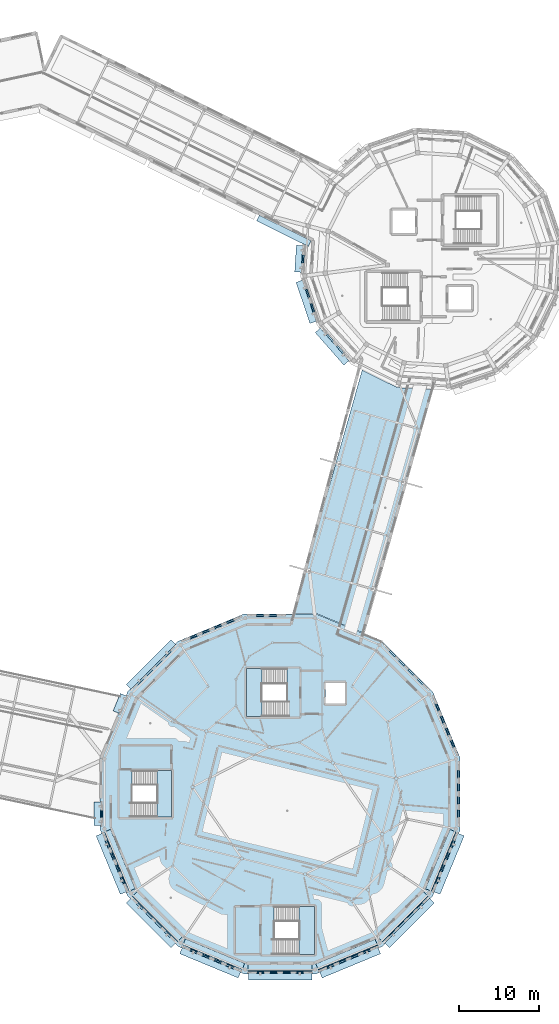
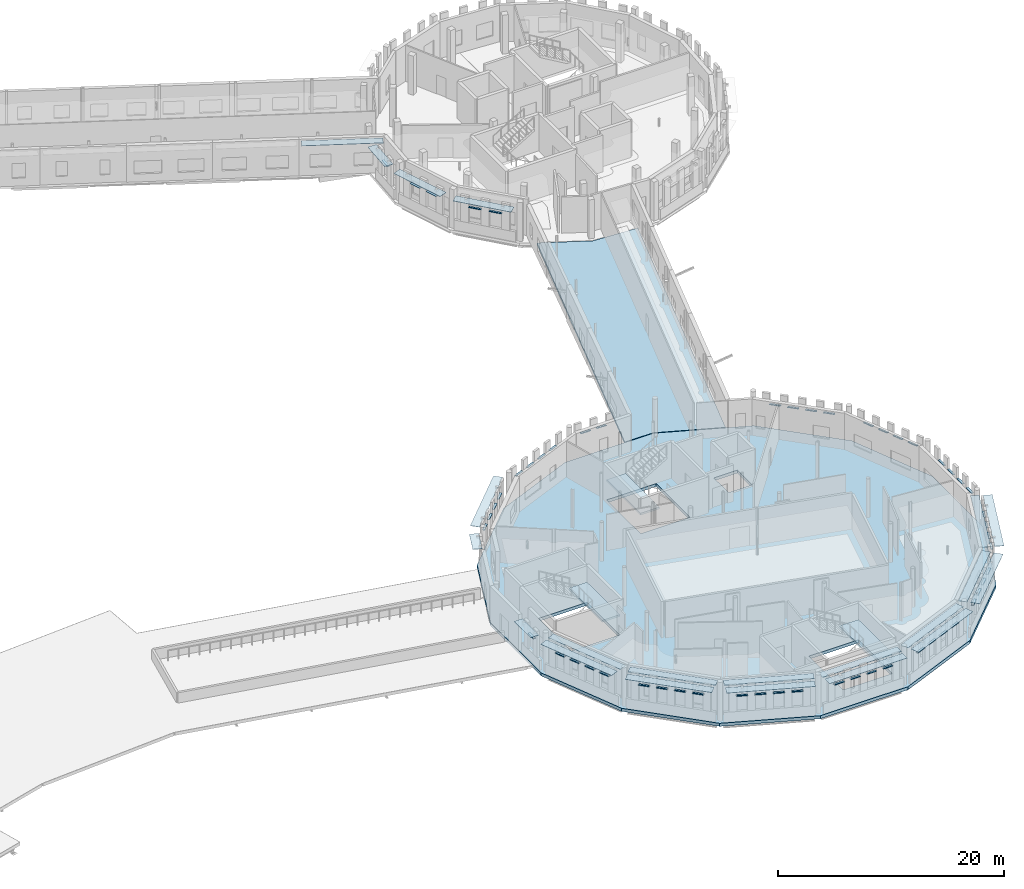
# One storey, part 35 of 90: 77 plates, 5 slabs, 3 elements without a shape of their own.
"""IFC4 building model written with IfcOpenShell, lengths in metres."""

import ifcopenshell
import ifcopenshell.guid

model = None  # the IFC model being written
_history = None  # IfcOwnerHistory: only IFC2X3 demands one
_inside = {}  # id of a spatial element -> (the spatial element, [elements in it])
_under = {}  # id of a project, library or spatial element -> (it, [spatial elements below it])
_declared = {}  # id of a project -> (the project, [libraries it declares])
_typed = {}  # id of a type object -> (the type object, [elements of that type])
_made_of = {}  # id of a material, layer set ... -> (it, [elements and type objects made of it])


def new_model(schema):
    """Start an empty IFC model of exactly this schema.

    Asked for "IFC4X3", IfcOpenShell would pick the latest addendum, in which some entities
    have other attributes; the version numbers below select the first issue.
    IFC2X3 requires an IfcOwnerHistory on every rooted entity: one is made here for all.
    """
    global model, _history
    if schema == "IFC4X3":
        model = ifcopenshell.file(schema_version=(4, 3, 0, 0))
    else:
        model = ifcopenshell.file(schema=schema)
    _inside.clear()
    _under.clear()
    _declared.clear()
    _typed.clear()
    _made_of.clear()
    _history = None
    if model.schema == "IFC2X3":
        org = make("IfcOrganization", Name="unknown")
        user = make(
            "IfcPersonAndOrganization",
            ThePerson=make("IfcPerson", FamilyName="unknown"),
            TheOrganization=org,
        )
        app = make(
            "IfcApplication",
            ApplicationDeveloper=org,
            Version="unknown",
            ApplicationFullName="unknown",
            ApplicationIdentifier="unknown",
        )
        _history = make(
            "IfcOwnerHistory",
            OwningUser=user,
            OwningApplication=app,
            ChangeAction="ADDED",
            CreationDate=0,
        )
    return model


def make(cls, **values):
    """One entity of the class cls with the attributes given. An attribute that is None is left unset."""
    return model.create_entity(
        cls, **{name: value for name, value in values.items() if value is not None}
    )


def rooted(cls, **values):
    """An entity with a GlobalId (a new one), such as an element, a storey or a relation."""
    return make(cls, GlobalId=ifcopenshell.guid.new(), OwnerHistory=_history, **values)


def si_unit(unit_type, name, prefix=None):
    """IfcSIUnit, for example si_unit("LENGTHUNIT", "METRE", prefix="MILLI")."""
    return make("IfcSIUnit", UnitType=unit_type, Prefix=prefix, Name=name)


def assignment(units):
    """IfcUnitAssignment: the units of a project."""
    return None if units is None else make("IfcUnitAssignment", Units=units)


def point(xyz):
    """IfcCartesianPoint."""
    return None if xyz is None else make("IfcCartesianPoint", Coordinates=xyz)


def direction(xyz):
    """IfcDirection."""
    return None if xyz is None else make("IfcDirection", DirectionRatios=xyz)


def frame(location, z_axis=None, x_axis=None):
    """IfcAxis2Placement3D, a coordinate frame: its origin and axes. An axis left out is left unset."""
    return make(
        "IfcAxis2Placement3D",
        Location=point(location),
        Axis=direction(z_axis),
        RefDirection=direction(x_axis),
    )


def frame_2d(location, x_axis=None):
    """IfcAxis2Placement2D, a coordinate frame in the plane: its origin and x axis."""
    return make(
        "IfcAxis2Placement2D", Location=point(location), RefDirection=direction(x_axis)
    )


def origin():
    """The frame at (0, 0, 0) with its axes left unset."""
    return frame((0.0, 0.0, 0.0))


def origin_2d():
    """The frame at (0, 0) in the plane with its x axis left unset."""
    return frame_2d((0.0, 0.0))


def place(relative_to, where):
    """IfcLocalPlacement: puts the frame where relative to a parent placement (None: the world)."""
    return make(
        "IfcLocalPlacement", PlacementRelTo=relative_to, RelativePlacement=where
    )


def context(
    kind, dimensions, precision=None, world=None, true_north=None, identifier=None
):
    """IfcGeometricRepresentationContext, for example the 3D "Model" context."""
    return make(
        "IfcGeometricRepresentationContext",
        ContextIdentifier=identifier,
        ContextType=kind,
        CoordinateSpaceDimension=dimensions,
        Precision=precision,
        WorldCoordinateSystem=world,
        TrueNorth=true_north,
    )


def subcontext(parent, identifier, kind, view, scale=None):
    """IfcGeometricRepresentationSubContext, for example "Body" below "Model"."""
    return make(
        "IfcGeometricRepresentationSubContext",
        ContextIdentifier=identifier,
        ContextType=kind,
        ParentContext=parent,
        TargetScale=scale,
        TargetView=view,
    )


def project(units=None, contexts=None):
    """IfcProject with its units and contexts."""
    return rooted(
        "IfcProject",
        Name="project",
        RepresentationContexts=contexts,
        UnitsInContext=assignment(units),
    )


def spatial(cls, under=None, at=None, **own):
    """A site, building, storey or space (cls), placed at a placement, below another one or the project."""
    s = rooted(cls, ObjectPlacement=at, **own)
    if under is not None:
        _under.setdefault(under.id(), (under, []))[1].append(s)
    return s


def polyline(points):
    """IfcPolyline through the points."""
    return make("IfcPolyline", Points=[point(p) for p in points])


def profile(cls, at=None, kind="AREA", **sizes):
    """A parametric profile (cls). Its sizes go by their IFC names, for example OverallWidth=200.0."""
    return make(cls, ProfileType=kind, Position=at, **sizes)


def rectangle(**sizes):
    """IfcRectangleProfileDef."""
    return profile("IfcRectangleProfileDef", **sizes)


def outline(outer, holes=None, kind="AREA"):
    """IfcArbitraryClosedProfileDef: a profile drawn as a closed curve; with holes, ...WithVoids."""
    if holes is None:
        return make("IfcArbitraryClosedProfileDef", ProfileType=kind, OuterCurve=outer)
    return make(
        "IfcArbitraryProfileDefWithVoids",
        ProfileType=kind,
        OuterCurve=outer,
        InnerCurves=holes,
    )


def extrude(swept, where, along, depth):
    """IfcExtrudedAreaSolid: the profile swept, set in the frame where, extruded along a direction by depth."""
    return make(
        "IfcExtrudedAreaSolid",
        SweptArea=swept,
        Position=where,
        ExtrudedDirection=direction(along),
        Depth=depth,
    )


def shape(context_of_items, identifier, shape_type, items):
    """IfcShapeRepresentation: the items that make up one representation, for example the "Body"."""
    return make(
        "IfcShapeRepresentation",
        ContextOfItems=context_of_items,
        RepresentationIdentifier=identifier,
        RepresentationType=shape_type,
        Items=items,
    )


def material(Name=None, Category=None):
    """IfcMaterial."""
    return make("IfcMaterial", Name=Name, Category=Category)


def layer(
    of_material, thickness, ventilated=None, Name=None, Category=None, Priority=None
):
    """IfcMaterialLayer: one layer of a wall or slab, of a material (None: an air gap)."""
    return make(
        "IfcMaterialLayer",
        Material=of_material,
        LayerThickness=thickness,
        IsVentilated=ventilated,
        Name=Name,
        Category=Category,
        Priority=Priority,
    )


def layer_set(layers, Name=None):
    """IfcMaterialLayerSet."""
    return make("IfcMaterialLayerSet", MaterialLayers=layers, LayerSetName=Name)


def made_of(thing, what):
    """Note that an element or type object is made of a material, layer set ...; save() writes the relation."""
    if what is not None:
        _made_of.setdefault(what.id(), (what, []))[1].append(thing)
    return thing


def type_object(cls, material=None, **own):
    """A type object (cls), such as IfcWallType, which elements share."""
    return made_of(rooted(cls, **own), material)


def element(
    cls,
    number,
    at=None,
    inside=None,
    cuts=None,
    type_object=None,
    material=None,
    context=None,
    identifier="Body",
    shape_type=None,
    held_by="IfcProductDefinitionShape",
    body=None,
    shapes=None,
    **own,
):
    """One element of the class cls, such as IfcWall. Its Tag is "e" and its number.

    at: its placement. inside: the storey or other place that contains it. cuts: it is an
    opening in that element (IfcRelVoidsElement). A single representation is given by context,
    identifier, shape_type and body (its items); several are given by shapes. held_by: the class
    of the entity that holds the representations. save() writes the other relations.
    """
    e = rooted(cls, Tag="e%d" % number, ObjectPlacement=at, **own)
    if body is not None:
        shapes = [shape(context, identifier, shape_type, body)]
    if shapes is not None:
        e.Representation = make(held_by, Representations=shapes)
    if inside is not None:
        _inside.setdefault(inside.id(), (inside, []))[1].append(e)
    if cuts is not None:
        rooted(
            "IfcRelVoidsElement", RelatingBuildingElement=cuts, RelatedOpeningElement=e
        )
    if type_object is not None:
        _typed.setdefault(type_object.id(), (type_object, []))[1].append(e)
    return made_of(e, material)


def aggregate(whole, parts):
    """IfcRelAggregates: a whole, such as a stair, and the parts it consists of."""
    return rooted("IfcRelAggregates", RelatingObject=whole, RelatedObjects=parts)


def save(model, path):
    """Write the relations noted so far, then the file.

    IfcRelAggregates (storeys below a building ...), IfcRelContainedInSpatialStructure (elements
    in a storey), IfcRelDefinesByType, IfcRelAssociatesMaterial and IfcRelDeclares: one each for
    every whole, place, type object, material and project.
    """
    for whole, parts in _under.values():
        aggregate(whole, parts)
    for where, things in _inside.values():
        rooted(
            "IfcRelContainedInSpatialStructure",
            RelatedElements=things,
            RelatingStructure=where,
        )
    for kind, things in _typed.values():
        rooted("IfcRelDefinesByType", RelatedObjects=things, RelatingType=kind)
    for what, things in _made_of.values():
        rooted("IfcRelAssociatesMaterial", RelatedObjects=things, RelatingMaterial=what)
    for by, libraries in _declared.values():
        rooted("IfcRelDeclares", RelatingContext=by, RelatedDefinitions=libraries)
    model.write(path)


model = new_model("IFC4")

# Units and contexts
model_context = context("Model", 3, precision=1e-05, world=origin(), true_north=direction((0.0, 1.0)))
body_context = subcontext(model_context, "Body", "Model", "MODEL_VIEW")
ifc_project = project(units=[si_unit("LENGTHUNIT", "METRE"), si_unit("AREAUNIT", "SQUARE_METRE"), si_unit("VOLUMEUNIT", "CUBIC_METRE"), si_unit("PLANEANGLEUNIT", "RADIAN"), si_unit("MASSUNIT", "GRAM", prefix="KILO")], contexts=[model_context])

# Site, building, storey
site_placement = place(None, origin())
site = spatial("IfcSite", under=ifc_project, at=site_placement, CompositionType="ELEMENT")
building_placement = place(site_placement, origin())
building = spatial("IfcBuilding", under=site, at=building_placement, Name="Wrenclough Park School", CompositionType="ELEMENT")
storey_placement = place(building_placement, frame((0.0, 0.0, 8.39990234375)))
storey = spatial("IfcBuildingStorey", under=building, at=storey_placement, Name="L02", CompositionType="ELEMENT", Elevation=8.39990234375)

# Plates
ifc_material_1 = material(Name="Anodised architectural aluminium solar shading fin plate", Category="aluminium")
ifc_layer_1 = layer(ifc_material_1, 0.0380859375)
ifc_layer_set_1 = layer_set([ifc_layer_1], Name="Anodised architectural aluminium solar shading fin plate")
plate_type = type_object("IfcPlateType", Name="ENV-PL-BSF", PredefinedType="SHEET", material=ifc_layer_set_1)
for number, where, z_axis, x_axis, name in (
    (1, (177.119384765625, 32.78271484375, 2.72216796875), (0.0, 0.0, 1.0), (-0.382684471717, 0.923879101997, 0.0), "D1 L02 open-bond brick screen tie band 0283"),
    (2, (176.489501953125, 34.303466796875, 2.72216796875), (0.0, 0.0, 1.0), (-0.382684471717, 0.923879101997, 0.0), "D1 L02 open-bond brick screen tie band 0284"),
    (3, (175.859619140625, 35.82421875, 2.72216796875), (0.0, 0.0, 1.0), (-0.382684471717, 0.923879101997, 0.0), "D1 L02 open-bond brick screen tie band 0285"),
    (4, (175.229736328125, 37.344970703125, 2.72216796875), (0.0, 0.0, 1.0), (-0.382684471717, 0.923879101997, 0.0), "D1 L02 open-bond brick screen tie band 0286"),
):
    element("IfcPlate", number, at=place(storey_placement, frame(where, z_axis=z_axis, x_axis=x_axis)), inside=storey, type_object=plate_type, Name=name, PredefinedType="SHEET", context=body_context, shape_type="SweptSolid", body=[
        extrude(rectangle(XDim=1.0048828125, YDim=0.219970703125, at=origin_2d()), origin(), (0.0, 0.0, 1.0), 0.0419921875),
    ])
plate_1_placement = place(storey_placement, frame((173.069580078125, 40.577880859375, 2.72216796875), z_axis=(0.0, 0.0, 1.0), x_axis=(-0.707106781187, 0.707106781187, 0.0)))
element("IfcPlate", 5, at=plate_1_placement, inside=storey, type_object=plate_type, Name="D1 L02 open-bond brick screen tie band 0287", PredefinedType="SHEET", context=body_context, shape_type="SweptSolid", body=[
    extrude(rectangle(XDim=1.004638671875, YDim=0.219970703125, at=origin_2d()), origin(), (0.0, 0.0, 1.0), 0.0419921875),
])
for number, where, z_axis, x_axis, name in (
    (6, (171.90576171875, 41.741455078125, 2.72216796875), (0.0, 0.0, 1.0), (-0.707106781187, 0.707106781187, 0.0), "D1 L02 open-bond brick screen tie band 0288"),
    (7, (170.741943359375, 42.9052734375, 2.72216796875), (0.0, 0.0, 1.0), (-0.707106781187, 0.707106781187, 0.0), "D1 L02 open-bond brick screen tie band 0289"),
):
    element("IfcPlate", number, at=place(storey_placement, frame(where, z_axis=z_axis, x_axis=x_axis)), inside=storey, type_object=plate_type, Name=name, PredefinedType="SHEET", context=body_context, shape_type="SweptSolid", body=[
        extrude(rectangle(XDim=1.0048828125, YDim=0.219970703125, at=origin_2d()), origin(), (0.0, 0.0, 1.0), 0.0419921875),
    ])
plate_2_placement = place(storey_placement, frame((169.578125, 44.069091796875, 2.72216796875), z_axis=(0.0, 0.0, 1.0), x_axis=(-0.707106781187, 0.707106781187, 0.0)))
element("IfcPlate", 8, at=plate_2_placement, inside=storey, type_object=plate_type, Name="D1 L02 open-bond brick screen tie band 0290", PredefinedType="SHEET", context=body_context, shape_type="SweptSolid", body=[
    extrude(rectangle(XDim=1.004638671875, YDim=0.219970703125, at=origin_2d()), origin(), (0.0, 0.0, 1.0), 0.0419921875),
])
for number, where, z_axis, x_axis, name in (
    (9, (154.58251953125, 48.878173828125, 2.72216796875), (0.0, 0.0, 1.0), (-1.0, 0.0, 0.0), "D1 L02 open-bond brick screen tie band 0291"),
    (10, (152.983642578125, 48.878173828125, 2.72216796875), (0.0, 0.0, 1.0), (-1.0, 0.0, 0.0), "D1 L02 open-bond brick screen tie band 0292"),
):
    element("IfcPlate", number, at=place(storey_placement, frame(where, z_axis=z_axis, x_axis=x_axis)), inside=storey, type_object=plate_type, Name=name, PredefinedType="SHEET", context=body_context, shape_type="SweptSolid", body=[
        extrude(rectangle(XDim=0.977783203125, YDim=0.219970703125, at=origin_2d()), origin(), (0.0, 0.0, 1.0), 0.0419921875),
    ])
for number, where, z_axis, x_axis, name in (
    (11, (149.217041015625, 48.119384765625, 2.72216796875), (0.0, 0.0, 1.0), (-0.923875848465, -0.382692326318, 0.0), "D1 L02 open-bond brick screen tie band 0293"),
    (12, (147.6962890625, 47.489501953125, 2.72216796875), (0.0, 0.0, 1.0), (-0.923875848465, -0.382692326318, 0.0), "D1 L02 open-bond brick screen tie band 0294"),
    (13, (146.17578125, 46.859619140625, 2.72216796875), (0.0, 0.0, 1.0), (-0.923875848465, -0.382692326318, 0.0), "D1 L02 open-bond brick screen tie band 0295"),
    (14, (144.65478515625, 46.2294921875, 2.72216796875), (0.0, 0.0, 1.0), (-0.923875848465, -0.382692326318, 0.0), "D1 L02 open-bond brick screen tie band 0296"),
):
    element("IfcPlate", number, at=place(storey_placement, frame(where, z_axis=z_axis, x_axis=x_axis)), inside=storey, type_object=plate_type, Name=name, PredefinedType="SHEET", context=body_context, shape_type="SweptSolid", body=[
        extrude(rectangle(XDim=1.0048828125, YDim=0.219970703125, at=origin_2d()), origin(), (0.0, 0.0, 1.0), 0.0419921875),
    ])
plate_3_placement = place(storey_placement, frame((141.421875, 44.069091796875, 2.72216796875), z_axis=(0.0, 0.0, 1.0), x_axis=(-0.707106781187, -0.707106781187, 0.0)))
element("IfcPlate", 15, at=plate_3_placement, inside=storey, type_object=plate_type, Name="D1 L02 open-bond brick screen tie band 0297", PredefinedType="SHEET", context=body_context, shape_type="SweptSolid", body=[
    extrude(rectangle(XDim=1.004638671875, YDim=0.219970703125, at=origin_2d()), origin(), (0.0, 0.0, 1.0), 0.0419921875),
])
for number, where, z_axis, x_axis, name in (
    (16, (140.258056640625, 42.9052734375, 2.72216796875), (0.0, 0.0, 1.0), (-0.707106781187, -0.707106781187, 0.0), "D1 L02 open-bond brick screen tie band 0298"),
    (17, (139.09423828125, 41.741455078125, 2.72216796875), (0.0, 0.0, 1.0), (-0.707106781187, -0.707106781187, 0.0), "D1 L02 open-bond brick screen tie band 0299"),
):
    element("IfcPlate", number, at=place(storey_placement, frame(where, z_axis=z_axis, x_axis=x_axis)), inside=storey, type_object=plate_type, Name=name, PredefinedType="SHEET", context=body_context, shape_type="SweptSolid", body=[
        extrude(rectangle(XDim=1.0048828125, YDim=0.219970703125, at=origin_2d()), origin(), (0.0, 0.0, 1.0), 0.0419921875),
    ])
plate_4_placement = place(storey_placement, frame((137.930419921875, 40.577880859375, 2.72216796875), z_axis=(0.0, 0.0, 1.0), x_axis=(-0.707106781187, -0.707106781187, 0.0)))
element("IfcPlate", 18, at=plate_4_placement, inside=storey, type_object=plate_type, Name="D1 L02 open-bond brick screen tie band 0300", PredefinedType="SHEET", context=body_context, shape_type="SweptSolid", body=[
    extrude(rectangle(XDim=1.004638671875, YDim=0.219970703125, at=origin_2d()), origin(), (0.0, 0.0, 1.0), 0.0419921875),
])
plate_5_placement = place(storey_placement, frame((139.310302734375, 42.689208984375, 3.701171875), z_axis=(0.0, 0.0, 1.0), x_axis=(-0.707106781187, -0.707106781187, 0.0)))
element("IfcPlate", 19, at=plate_5_placement, inside=storey, type_object=plate_type, Name="D1 L02 sun-side projecting brise-soleil blade 0040", PredefinedType="SHEET", context=body_context, shape_type="SweptSolid", body=[
    extrude(rectangle(XDim=7.928955078125, YDim=0.85009765625, at=origin_2d()), origin(), (0.0, 0.0, 1.0), 0.0380859375),
])
plate_6_placement = place(storey_placement, frame((135.41162109375, 37.8310546875, 3.701171875), z_axis=(0.0, 0.0, 1.0), x_axis=(-0.38269828096, -0.923873381882, 0.0)))
element("IfcPlate", 20, at=plate_6_placement, inside=storey, type_object=plate_type, Name="D1 L02 sun-side projecting brise-soleil blade 0041", PredefinedType="SHEET", context=body_context, shape_type="SweptSolid", body=[
    extrude(rectangle(XDim=2.367919921875, YDim=0.85009765625, at=origin_2d()), origin(), (0.0, 0.0, 1.0), 0.0380859375),
])
plate_7_placement = place(storey_placement, frame((133.121826171875, 23.99365234375, 2.72216796875), z_axis=(0.0, 0.0, 1.0), x_axis=(0.0, -1.0, 0.0)))
element("IfcPlate", 21, at=plate_7_placement, inside=storey, type_object=plate_type, Name="D1 L02 open-bond brick screen tie band 0302", PredefinedType="SHEET", context=body_context, shape_type="SweptSolid", body=[
    extrude(rectangle(XDim=0.982666015625, YDim=0.219970703125, at=origin_2d()), origin(), (0.0, 0.0, 1.0), 0.0419921875),
])
plate_8_placement = place(storey_placement, frame((132.6044921875, 23.99365234375, 3.701171875), z_axis=(0.0, 0.0, 1.0), x_axis=(0.0, -1.0, 0.0)))
element("IfcPlate", 22, at=plate_8_placement, inside=storey, type_object=plate_type, Name="D1 L02 sun-side projecting brise-soleil blade 0042", PredefinedType="SHEET", context=body_context, shape_type="SweptSolid", body=[
    extrude(rectangle(XDim=2.91748046875, YDim=0.85009765625, at=origin_2d()), origin(), (0.0, 0.0, 1.0), 0.0380859375),
])
for number, where, z_axis, x_axis, name in (
    (23, (133.880615234375, 20.21728515625, 2.72216796875), (0.0, 0.0, 1.0), (0.382684471717, -0.923879101997, 0.0), "D1 L02 open-bond brick screen tie band 0303"),
    (24, (134.510498046875, 18.696533203125, 2.72216796875), (0.0, 0.0, 1.0), (0.382684471717, -0.923879101997, 0.0), "D1 L02 open-bond brick screen tie band 0304"),
    (25, (135.140380859375, 17.17578125, 2.72216796875), (0.0, 0.0, 1.0), (0.382684471717, -0.923879101997, 0.0), "D1 L02 open-bond brick screen tie band 0305"),
    (26, (135.770263671875, 15.655029296875, 2.72216796875), (0.0, 0.0, 1.0), (0.382684471717, -0.923879101997, 0.0), "D1 L02 open-bond brick screen tie band 0306"),
):
    element("IfcPlate", number, at=place(storey_placement, frame(where, z_axis=z_axis, x_axis=x_axis)), inside=storey, type_object=plate_type, Name=name, PredefinedType="SHEET", context=body_context, shape_type="SweptSolid", body=[
        extrude(rectangle(XDim=1.0048828125, YDim=0.219970703125, at=origin_2d()), origin(), (0.0, 0.0, 1.0), 0.0419921875),
    ])
plate_9_placement = place(storey_placement, frame((134.347412109375, 17.738037109375, 3.701171875), z_axis=(0.0, 0.0, 1.0), x_axis=(0.382684471717, -0.923879101997, 0.0)))
element("IfcPlate", 27, at=plate_9_placement, inside=storey, type_object=plate_type, Name="D1 L02 sun-side projecting brise-soleil blade 0043", PredefinedType="SHEET", context=body_context, shape_type="SweptSolid", body=[
    extrude(rectangle(XDim=7.9296875, YDim=0.85009765625, at=origin_2d()), origin(), (0.0, 0.0, 1.0), 0.0380859375),
])
for number, where, z_axis, x_axis, name in (
    (28, (137.930419921875, 12.422119140625, 2.72216796875), (0.0, 0.0, 1.0), (0.707106781187, -0.707106781187, 0.0), "D1 L02 open-bond brick screen tie band 0307"),
    (29, (139.094482421875, 11.25830078125, 2.72216796875), (0.0, 0.0, 1.0), (0.707106781187, -0.707106781187, 0.0), "D1 L02 open-bond brick screen tie band 0308"),
    (30, (140.25830078125, 10.094482421875, 2.72216796875), (0.0, 0.0, 1.0), (0.707106781187, -0.707106781187, 0.0), "D1 L02 open-bond brick screen tie band 0309"),
    (31, (141.422119140625, 8.9306640625, 2.72216796875), (0.0, 0.0, 1.0), (0.707106781187, -0.707106781187, 0.0), "D1 L02 open-bond brick screen tie band 0310"),
):
    element("IfcPlate", number, at=place(storey_placement, frame(where, z_axis=z_axis, x_axis=x_axis)), inside=storey, type_object=plate_type, Name=name, PredefinedType="SHEET", context=body_context, shape_type="SweptSolid", body=[
        extrude(rectangle(XDim=1.0048828125, YDim=0.219970703125, at=origin_2d()), origin(), (0.0, 0.0, 1.0), 0.0419921875),
    ])
plate_10_placement = place(storey_placement, frame((139.310302734375, 10.310302734375, 3.701171875), z_axis=(0.0, 0.0, 1.0), x_axis=(0.707106781187, -0.707106781187, 0.0)))
element("IfcPlate", 32, at=plate_10_placement, inside=storey, type_object=plate_type, Name="D1 L02 sun-side projecting brise-soleil blade 0044", PredefinedType="SHEET", context=body_context, shape_type="SweptSolid", body=[
    extrude(rectangle(XDim=7.9296875, YDim=0.85009765625, at=origin_2d()), origin(), (0.0, 0.0, 1.0), 0.0380859375),
])
for number, where, z_axis, x_axis, name in (
    (33, (144.655029296875, 6.770263671875, 2.72216796875), (0.0, 0.0, 1.0), (0.923879101997, -0.382684471717, 0.0), "D1 L02 open-bond brick screen tie band 0311"),
    (34, (146.17578125, 6.140380859375, 2.72216796875), (0.0, 0.0, 1.0), (0.923879101997, -0.382684471717, 0.0), "D1 L02 open-bond brick screen tie band 0312"),
    (35, (147.696533203125, 5.510498046875, 2.72216796875), (0.0, 0.0, 1.0), (0.923879101997, -0.382684471717, 0.0), "D1 L02 open-bond brick screen tie band 0313"),
    (36, (149.21728515625, 4.880615234375, 2.72216796875), (0.0, 0.0, 1.0), (0.923879101997, -0.382684471717, 0.0), "D1 L02 open-bond brick screen tie band 0314"),
):
    element("IfcPlate", number, at=place(storey_placement, frame(where, z_axis=z_axis, x_axis=x_axis)), inside=storey, type_object=plate_type, Name=name, PredefinedType="SHEET", context=body_context, shape_type="SweptSolid", body=[
        extrude(rectangle(XDim=1.0048828125, YDim=0.219970703125, at=origin_2d()), origin(), (0.0, 0.0, 1.0), 0.0419921875),
    ])
plate_11_placement = place(storey_placement, frame((146.738037109375, 5.347412109375, 3.701171875), z_axis=(0.0, 0.0, 1.0), x_axis=(0.923879101997, -0.382684471717, 0.0)))
element("IfcPlate", 37, at=plate_11_placement, inside=storey, type_object=plate_type, Name="D1 L02 sun-side projecting brise-soleil blade 0045", PredefinedType="SHEET", context=body_context, shape_type="SweptSolid", body=[
    extrude(rectangle(XDim=7.9296875, YDim=0.85009765625, at=origin_2d()), origin(), (0.0, 0.0, 1.0), 0.0380859375),
])
for number, where, z_axis, x_axis, name in (
    (38, (153.031005859375, 4.121826171875, 2.72216796875), (0.0, 0.0, 1.0), (1.0, 0.0, 0.0), "D1 L02 open-bond brick screen tie band 0315"),
    (39, (154.677001953125, 4.121826171875, 2.72216796875), (0.0, 0.0, 1.0), (1.0, 0.0, 0.0), "D1 L02 open-bond brick screen tie band 0316"),
    (40, (156.322998046875, 4.121826171875, 2.72216796875), (0.0, 0.0, 1.0), (1.0, 0.0, 0.0), "D1 L02 open-bond brick screen tie band 0317"),
    (41, (157.968994140625, 4.121826171875, 2.72216796875), (0.0, 0.0, 1.0), (1.0, 0.0, 0.0), "D1 L02 open-bond brick screen tie band 0318"),
):
    element("IfcPlate", number, at=place(storey_placement, frame(where, z_axis=z_axis, x_axis=x_axis)), inside=storey, type_object=plate_type, Name=name, PredefinedType="SHEET", context=body_context, shape_type="SweptSolid", body=[
        extrude(rectangle(XDim=1.0048828125, YDim=0.219970703125, at=origin_2d()), origin(), (0.0, 0.0, 1.0), 0.0419921875),
    ])
plate_12_placement = place(storey_placement, frame((155.5, 3.6044921875, 3.701171875), z_axis=(0.0, 0.0, 1.0), x_axis=(1.0, 0.0, 0.0)))
element("IfcPlate", 42, at=plate_12_placement, inside=storey, type_object=plate_type, Name="D1 L02 sun-side projecting brise-soleil blade 0046", PredefinedType="SHEET", context=body_context, shape_type="SweptSolid", body=[
    extrude(rectangle(XDim=7.929931640625, YDim=0.85009765625, at=origin_2d()), origin(), (0.0, 0.0, 1.0), 0.0380859375),
])
for number, where, z_axis, x_axis, name in (
    (43, (161.78271484375, 4.880615234375, 2.72216796875), (0.0, 0.0, 1.0), (0.923879101997, 0.382684471717, 0.0), "D1 L02 open-bond brick screen tie band 0319"),
    (44, (163.303466796875, 5.510498046875, 2.72216796875), (0.0, 0.0, 1.0), (0.923879101997, 0.382684471717, 0.0), "D1 L02 open-bond brick screen tie band 0320"),
    (45, (164.82421875, 6.140380859375, 2.72216796875), (0.0, 0.0, 1.0), (0.923879101997, 0.382684471717, 0.0), "D1 L02 open-bond brick screen tie band 0321"),
    (46, (166.344970703125, 6.770263671875, 2.72216796875), (0.0, 0.0, 1.0), (0.923879101997, 0.382684471717, 0.0), "D1 L02 open-bond brick screen tie band 0322"),
):
    element("IfcPlate", number, at=place(storey_placement, frame(where, z_axis=z_axis, x_axis=x_axis)), inside=storey, type_object=plate_type, Name=name, PredefinedType="SHEET", context=body_context, shape_type="SweptSolid", body=[
        extrude(rectangle(XDim=1.0048828125, YDim=0.219970703125, at=origin_2d()), origin(), (0.0, 0.0, 1.0), 0.0419921875),
    ])
plate_13_placement = place(storey_placement, frame((164.261962890625, 5.347412109375, 3.701171875), z_axis=(0.0, 0.0, 1.0), x_axis=(0.923879101997, 0.382684471717, 0.0)))
element("IfcPlate", 47, at=plate_13_placement, inside=storey, type_object=plate_type, Name="D1 L02 sun-side projecting brise-soleil blade 0047", PredefinedType="SHEET", context=body_context, shape_type="SweptSolid", body=[
    extrude(rectangle(XDim=7.9296875, YDim=0.85009765625, at=origin_2d()), origin(), (0.0, 0.0, 1.0), 0.0380859375),
])
for number, where, z_axis, x_axis, name in (
    (48, (169.577880859375, 8.9306640625, 2.72216796875), (0.0, 0.0, 1.0), (0.707106781187, 0.707106781187, 0.0), "D1 L02 open-bond brick screen tie band 0323"),
    (49, (170.74169921875, 10.094482421875, 2.72216796875), (0.0, 0.0, 1.0), (0.707106781187, 0.707106781187, 0.0), "D1 L02 open-bond brick screen tie band 0324"),
    (50, (171.905517578125, 11.25830078125, 2.72216796875), (0.0, 0.0, 1.0), (0.707106781187, 0.707106781187, 0.0), "D1 L02 open-bond brick screen tie band 0325"),
    (51, (173.069580078125, 12.422119140625, 2.72216796875), (0.0, 0.0, 1.0), (0.707106781187, 0.707106781187, 0.0), "D1 L02 open-bond brick screen tie band 0326"),
):
    element("IfcPlate", number, at=place(storey_placement, frame(where, z_axis=z_axis, x_axis=x_axis)), inside=storey, type_object=plate_type, Name=name, PredefinedType="SHEET", context=body_context, shape_type="SweptSolid", body=[
        extrude(rectangle(XDim=1.0048828125, YDim=0.219970703125, at=origin_2d()), origin(), (0.0, 0.0, 1.0), 0.0419921875),
    ])
plate_14_placement = place(storey_placement, frame((171.689697265625, 10.310302734375, 3.701171875), z_axis=(0.0, 0.0, 1.0), x_axis=(0.707106781187, 0.707106781187, 0.0)))
element("IfcPlate", 52, at=plate_14_placement, inside=storey, type_object=plate_type, Name="D1 L02 sun-side projecting brise-soleil blade 0048", PredefinedType="SHEET", context=body_context, shape_type="SweptSolid", body=[
    extrude(rectangle(XDim=7.9296875, YDim=0.85009765625, at=origin_2d()), origin(), (0.0, 0.0, 1.0), 0.0380859375),
])
for number, where, z_axis, x_axis, name in (
    (53, (175.229736328125, 15.655029296875, 2.72216796875), (0.0, 0.0, 1.0), (0.382684471717, 0.923879101997, 0.0), "D1 L02 open-bond brick screen tie band 0327"),
    (54, (175.859619140625, 17.17578125, 2.72216796875), (0.0, 0.0, 1.0), (0.382684471717, 0.923879101997, 0.0), "D1 L02 open-bond brick screen tie band 0328"),
    (55, (176.489501953125, 18.696533203125, 2.72216796875), (0.0, 0.0, 1.0), (0.382684471717, 0.923879101997, 0.0), "D1 L02 open-bond brick screen tie band 0329"),
    (56, (177.119384765625, 20.21728515625, 2.72216796875), (0.0, 0.0, 1.0), (0.382684471717, 0.923879101997, 0.0), "D1 L02 open-bond brick screen tie band 0330"),
):
    element("IfcPlate", number, at=place(storey_placement, frame(where, z_axis=z_axis, x_axis=x_axis)), inside=storey, type_object=plate_type, Name=name, PredefinedType="SHEET", context=body_context, shape_type="SweptSolid", body=[
        extrude(rectangle(XDim=1.0048828125, YDim=0.219970703125, at=origin_2d()), origin(), (0.0, 0.0, 1.0), 0.0419921875),
    ])
plate_15_placement = place(storey_placement, frame((176.652587890625, 17.738037109375, 3.701171875), z_axis=(0.0, 0.0, 1.0), x_axis=(0.382684471717, 0.923879101997, 0.0)))
element("IfcPlate", 57, at=plate_15_placement, inside=storey, type_object=plate_type, Name="D1 L02 sun-side projecting brise-soleil blade 0049", PredefinedType="SHEET", context=body_context, shape_type="SweptSolid", body=[
    extrude(rectangle(XDim=7.9296875, YDim=0.85009765625, at=origin_2d()), origin(), (0.0, 0.0, 1.0), 0.0380859375),
])
for number, where, z_axis, x_axis, name in (
    (58, (177.878173828125, 24.031005859375, 2.72216796875), (0.0, 0.0, 1.0), (0.0, 1.0, 0.0), "D1 L02 open-bond brick screen tie band 0331"),
    (59, (177.878173828125, 25.677001953125, 2.72216796875), (0.0, 0.0, 1.0), (0.0, 1.0, 0.0), "D1 L02 open-bond brick screen tie band 0332"),
    (60, (177.878173828125, 27.322998046875, 2.72216796875), (0.0, 0.0, 1.0), (0.0, 1.0, 0.0), "D1 L02 open-bond brick screen tie band 0333"),
    (61, (177.878173828125, 28.968994140625, 2.72216796875), (0.0, 0.0, 1.0), (0.0, 1.0, 0.0), "D1 L02 open-bond brick screen tie band 0334"),
):
    element("IfcPlate", number, at=place(storey_placement, frame(where, z_axis=z_axis, x_axis=x_axis)), inside=storey, type_object=plate_type, Name=name, PredefinedType="SHEET", context=body_context, shape_type="SweptSolid", body=[
        extrude(rectangle(XDim=1.0048828125, YDim=0.219970703125, at=origin_2d()), origin(), (0.0, 0.0, 1.0), 0.0419921875),
    ])
plate_16_placement = place(storey_placement, frame((158.365478515625, 93.5185546875, 2.72216796875), z_axis=(0.0, 0.0, 1.0), x_axis=(-0.065399784397, -0.997859142465, 0.0)))
element("IfcPlate", 62, at=plate_16_placement, inside=storey, type_object=plate_type, Name="D5 L02 open-bond brick screen tie band 0444", PredefinedType="SHEET", context=body_context, shape_type="SweptSolid", body=[
    extrude(rectangle(XDim=1.119384765625, YDim=0.219970703125, at=origin_2d()), origin(), (0.0, 0.0, 1.0), 0.0419921875),
])
plate_17_placement = place(storey_placement, frame((157.84912109375, 93.55224609375, 3.701171875), z_axis=(0.0, 0.0, 1.0), x_axis=(-0.065399784397, -0.997859142465, 0.0)))
element("IfcPlate", 63, at=plate_17_placement, inside=storey, type_object=plate_type, Name="D5 L02 sun-side projecting brise-soleil blade 0073", PredefinedType="SHEET", context=body_context, shape_type="SweptSolid", body=[
    extrude(rectangle(XDim=3.35888671875, YDim=0.85009765625, at=origin_2d()), origin(), (0.0, 0.0, 1.0), 0.0380859375),
])
for number, where, z_axis, x_axis, name in (
    (64, (158.9462890625, 89.229248046875, 2.72216796875), (0.0, 0.0, 1.0), (0.321440769485, -0.946929686784, 0.0), "D5 L02 open-bond brick screen tie band 0445"),
    (65, (159.560546875, 87.419921875, 2.72216796875), (0.0, 0.0, 1.0), (0.321440769485, -0.946929686784, 0.0), "D5 L02 open-bond brick screen tie band 0446"),
):
    element("IfcPlate", number, at=place(storey_placement, frame(where, z_axis=z_axis, x_axis=x_axis)), inside=storey, type_object=plate_type, Name=name, PredefinedType="SHEET", context=body_context, shape_type="SweptSolid", body=[
        extrude(rectangle(XDim=1.20068359375, YDim=0.219970703125, at=origin_2d()), origin(), (0.0, 0.0, 1.0), 0.0419921875),
    ])
plate_18_placement = place(storey_placement, frame((158.763427734375, 88.158203125, 3.701171875), z_axis=(0.0, 0.0, 1.0), x_axis=(0.321440769485, -0.946929686784, 0.0)))
element("IfcPlate", 66, at=plate_18_placement, inside=storey, type_object=plate_type, Name="D5 L02 sun-side projecting brise-soleil blade 0074", PredefinedType="SHEET", context=body_context, shape_type="SweptSolid", body=[
    extrude(rectangle(XDim=5.432373046875, YDim=0.85009765625, at=origin_2d()), origin(), (0.0, 0.0, 1.0), 0.0380859375),
])
for number, where, z_axis, x_axis, name in (
    (67, (161.764404296875, 83.602294921875, 2.72216796875), (0.0, 0.0, 1.0), (0.659344063222, -0.751841343831, 0.0), "D5 L02 open-bond brick screen tie band 0447"),
    (68, (163.0244140625, 82.166015625, 2.72216796875), (0.0, 0.0, 1.0), (0.659344063222, -0.751841343831, 0.0), "D5 L02 open-bond brick screen tie band 0448"),
):
    element("IfcPlate", number, at=place(storey_placement, frame(where, z_axis=z_axis, x_axis=x_axis)), inside=storey, type_object=plate_type, Name=name, PredefinedType="SHEET", context=body_context, shape_type="SweptSolid", body=[
        extrude(rectangle(XDim=1.20068359375, YDim=0.219970703125, at=origin_2d()), origin(), (0.0, 0.0, 1.0), 0.0419921875),
    ])
plate_19_placement = place(storey_placement, frame((162.00537109375, 82.54296875, 3.701171875), z_axis=(0.0, 0.0, 1.0), x_axis=(0.659344063222, -0.751841343831, 0.0)))
element("IfcPlate", 69, at=plate_19_placement, inside=storey, type_object=plate_type, Name="D5 L02 sun-side projecting brise-soleil blade 0075", PredefinedType="SHEET", context=body_context, shape_type="SweptSolid", body=[
    extrude(rectangle(XDim=5.43212890625, YDim=0.85009765625, at=origin_2d()), origin(), (0.0, 0.0, 1.0), 0.0380859375),
])
plate_20_placement = place(storey_placement, frame((155.966064453125, 97.048095703125, 3.720947265625), z_axis=(0.0, 0.0, 1.0), x_axis=(-0.89626516888, 0.443518598316, 0.0)))
element("IfcPlate", 70, at=plate_20_placement, inside=storey, type_object=plate_type, Name="L02 link wing sun-side brise-soleil blade 0173", PredefinedType="SHEET", context=body_context, shape_type="SweptSolid", body=[
    extrude(rectangle(XDim=7.23974609375, YDim=0.800048828125, at=origin_2d()), origin(), (0.0, 0.0, 1.0), 0.0380859375),
])
plate_21_placement = place(storey_placement, frame((175.60107421875, 18.174072265625, 3.720947265625), z_axis=(0.0, 0.0, 1.0), x_axis=(-0.382680074611, -0.923880923331, 0.0)))
element("IfcPlate", 71, at=plate_21_placement, inside=storey, type_object=plate_type, Name="L02 link wing sun-side brise-soleil blade 0190", PredefinedType="SHEET", context=body_context, shape_type="SweptSolid", body=[
    extrude(rectangle(XDim=8.03857421875, YDim=0.800048828125, at=origin_2d()), origin(), (0.0, 0.0, 1.0), 0.0380859375),
])
plate_22_placement = place(storey_placement, frame((170.895263671875, 11.104736328125, 3.720947265625), z_axis=(0.0, 0.0, 1.0), x_axis=(-0.707106781187, -0.707106781187, 0.0)))
element("IfcPlate", 72, at=plate_22_placement, inside=storey, type_object=plate_type, Name="L02 link wing sun-side brise-soleil blade 0191", PredefinedType="SHEET", context=body_context, shape_type="SweptSolid", body=[
    extrude(rectangle(XDim=8.038818359375, YDim=0.800048828125, at=origin_2d()), origin(), (0.0, 0.0, 1.0), 0.0380859375),
])
for number, where, z_axis, x_axis, name in (
    (73, (163.835693359375, 6.3759765625, 3.720947265625), (0.0, 0.0, 1.0), (-0.923880923331, -0.382680074611, 0.0), "L02 link wing sun-side brise-soleil blade 0192"),
    (74, (155.5, 4.705322265625, 3.720947265625), (0.0, 0.0, 1.0), (-1.0, 0.0, 0.0), "L02 link wing sun-side brise-soleil blade 0193"),
    (75, (147.188232421875, 6.43359375, 3.720947265625), (0.0, 0.0, 1.0), (-0.923880923331, 0.382680074611, 0.0), "L02 link wing sun-side brise-soleil blade 0194"),
):
    element("IfcPlate", number, at=place(storey_placement, frame(where, z_axis=z_axis, x_axis=x_axis)), inside=storey, type_object=plate_type, Name=name, PredefinedType="SHEET", context=body_context, shape_type="SweptSolid", body=[
        extrude(rectangle(XDim=8.03857421875, YDim=0.800048828125, at=origin_2d()), origin(), (0.0, 0.0, 1.0), 0.0380859375),
    ])
plate_23_placement = place(storey_placement, frame((140.110107421875, 11.110107421875, 3.720947265625), z_axis=(0.0, 0.0, 1.0), x_axis=(-0.707106781187, 0.707106781187, 0.0)))
element("IfcPlate", 76, at=plate_23_placement, inside=storey, type_object=plate_type, Name="L02 link wing sun-side brise-soleil blade 0195", PredefinedType="SHEET", context=body_context, shape_type="SweptSolid", body=[
    extrude(rectangle(XDim=8.038818359375, YDim=0.800048828125, at=origin_2d()), origin(), (0.0, 0.0, 1.0), 0.0380859375),
])
plate_24_placement = place(storey_placement, frame((135.422119140625, 18.18359375, 3.720947265625), z_axis=(0.0, 0.0, 1.0), x_axis=(-0.382680074611, 0.923880923331, 0.0)))
element("IfcPlate", 77, at=plate_24_placement, inside=storey, type_object=plate_type, Name="L02 link wing sun-side brise-soleil blade 0196", PredefinedType="SHEET", context=body_context, shape_type="SweptSolid", body=[
    extrude(rectangle(XDim=8.03857421875, YDim=0.800048828125, at=origin_2d()), origin(), (0.0, 0.0, 1.0), 0.0380859375),
])

# Stair, slab
ifc_material_2 = material(Name="Precast concrete C40/50", Category="concrete")
stair_type_1 = type_object("IfcStairType", Name="INT-ST-190-42", PredefinedType="HALF_TURN_STAIR", material=ifc_material_2)
stair_1_placement = place(storey_placement, origin())
stair_1 = element("IfcStair", 78, at=stair_1_placement, inside=storey, type_object=stair_type_1, Name="L02 escape stair ST-01", PredefinedType="HALF_TURN_STAIR")
ifc_layer_2 = layer(ifc_material_2, 0.195068359375)
ifc_layer_set_2 = layer_set([ifc_layer_2], Name="Precast concrete C40/50")
slab_type_1 = type_object("IfcSlabType", Name="INT-SL-LAND195", PredefinedType="LANDING", material=ifc_layer_set_2)
slab_1_placement = place(storey_placement, frame((0.0, 0.0, 1.989013671875)))
slab_1 = element("IfcSlab", 79, at=slab_1_placement, type_object=slab_type_1, Name="ST-01 landing 1", PredefinedType="LANDING", context=body_context, shape_type="SweptSolid", body=[
    extrude(outline(polyline([(151.300048828125, 36.199951171875), (153.222900390625, 36.199951171875), (153.222900390625, 42.199951171875), (151.300048828125, 42.199951171875), (151.300048828125, 36.199951171875)])), origin(), (0.0, 0.0, 1.0), 0.195068359375),
])
aggregate(stair_1, [slab_1])

stair_2_placement = place(storey_placement, origin())
stair_2 = element("IfcStair", 80, at=stair_2_placement, inside=storey, type_object=stair_type_1, Name="L02 escape stair ST-09", PredefinedType="HALF_TURN_STAIR")
slab_2_placement = place(storey_placement, frame((0.0, 0.0, 1.989013671875)))
slab_2 = element("IfcSlab", 81, at=slab_2_placement, type_object=slab_type_1, Name="ST-09 landing 1", PredefinedType="LANDING", context=body_context, shape_type="SweptSolid", body=[
    extrude(outline(polyline([(157.876953125, 6.39990234375), (159.800048828125, 6.39990234375), (159.800048828125, 12.39990234375), (157.876953125, 12.39990234375), (157.876953125, 6.39990234375)])), origin(), (0.0, 0.0, 1.0), 0.195068359375),
])
aggregate(stair_2, [slab_2])

stair_type_2 = type_object("IfcStairType", Name="INT-ST-180-42", PredefinedType="HALF_TURN_STAIR", material=ifc_material_2)
stair_3_placement = place(storey_placement, origin())
stair_3 = element("IfcStair", 82, at=stair_3_placement, inside=storey, type_object=stair_type_2, Name="L02 escape stair ST-12", PredefinedType="HALF_TURN_STAIR")
slab_3_placement = place(storey_placement, frame((0.0, 0.0, 1.989013671875)))
slab_3 = element("IfcSlab", 83, at=slab_3_placement, type_object=slab_type_1, Name="ST-12 landing 1", PredefinedType="LANDING", context=body_context, shape_type="SweptSolid", body=[
    extrude(outline(polyline([(140.076904296875, 23.60009765625), (141.89990234375, 23.60009765625), (141.89990234375, 29.39990234375), (140.076904296875, 29.39990234375), (140.076904296875, 23.60009765625)])), origin(), (0.0, 0.0, 1.0), 0.195068359375),
])
aggregate(stair_3, [slab_3])

# Slabs
ifc_material_3 = material(Name="Concrete C32/40", Category="concrete")
ifc_layer_3 = layer(ifc_material_3, 0.239990234375)
ifc_layer_set_3 = layer_set([ifc_layer_3], Name="Concrete C32/40")
slab_type_2 = type_object("IfcSlabType", Name="STR-SL-FL240", PredefinedType="FLOOR", material=ifc_layer_set_3)
slab_4_placement = place(storey_placement, frame((0.0, 0.0, -0.239990234375)))
element("IfcSlab", 84, at=slab_4_placement, inside=storey, type_object=slab_type_2, Name="W14 L02 structural slab SLAB-W14-L02", PredefinedType="FLOOR", context=body_context, shape_type="SweptSolid", body=[
    extrude(outline(polyline([(165.98876953125, 46.626220703125), (174.6376953125, 77.125), (170.190673828125, 77.417236328125), (165.77490234375, 79.59375), (157.1298828125, 49.108154296875), (160.001708984375, 49.10595703125), (165.98876953125, 46.626220703125)])), origin(), (0.0, 0.0, 1.0), 0.239990234375),
])
ifc_material_4 = material(Name="Concrete C40/50", Category="concrete")
ifc_layer_4 = layer(ifc_material_4, 0.324951171875)
ifc_layer_set_4 = layer_set([ifc_layer_4], Name="Concrete C40/50")
slab_type_3 = type_object("IfcSlabType", Name="STR-SL-FL325", PredefinedType="FLOOR", material=ifc_layer_set_4)
slab_5_placement = place(storey_placement, frame((0.0, 0.0, -0.324951171875)))
element("IfcSlab", 85, at=slab_5_placement, inside=storey, type_object=slab_type_3, Name="D1 L02 structural slab SLAB-D1-L02", PredefinedType="FLOOR", context=body_context, shape_type="SweptSolid", body=[
    extrude(outline(polyline([(178.05810546875, 30.987060546875), (174.623779296875, 39.278076171875), (168.278076171875, 45.623779296875), (159.987060546875, 49.05810546875), (151.012939453125, 49.05810546875), (142.721923828125, 45.623779296875), (136.376220703125, 39.278076171875), (132.94189453125, 30.987060546875), (132.94189453125, 22.012939453125), (136.376220703125, 13.721923828125), (142.721923828125, 7.376220703125), (151.012939453125, 3.94189453125), (159.987060546875, 3.94189453125), (168.278076171875, 7.376220703125), (174.623779296875, 13.721923828125), (178.05810546875, 22.012939453125), (178.05810546875, 30.987060546875)]), holes=[polyline([(151.300048828125, 36.199951171875), (156.35205078125, 36.199951171875), (156.35205078125, 42.199951171875), (151.300048828125, 42.199951171875), (151.300048828125, 36.199951171875)]), polyline([(161.199951171875, 37.800048828125), (163.60009765625, 37.800048828125), (163.60009765625, 40.39990234375), (161.199951171875, 40.39990234375), (161.199951171875, 37.800048828125)]), polyline([(154.748046875, 6.39990234375), (159.800048828125, 6.39990234375), (159.800048828125, 12.39990234375), (154.748046875, 12.39990234375), (154.748046875, 6.39990234375)]), polyline([(136.947998046875, 23.60009765625), (141.89990234375, 23.60009765625), (141.89990234375, 29.39990234375), (136.947998046875, 29.39990234375), (136.947998046875, 23.60009765625)])]), origin(), (0.0, 0.0, 1.0), 0.324951171875),
])

save(model, "model.ifc")
